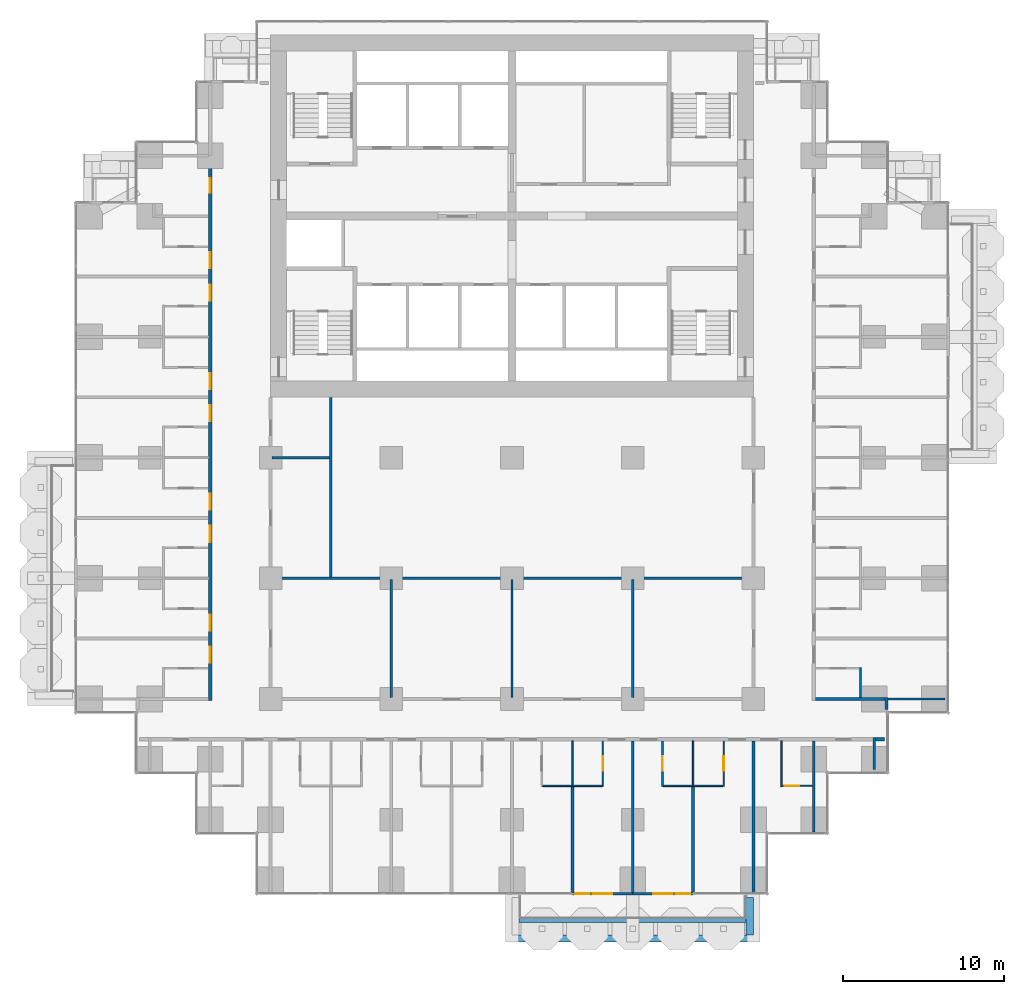
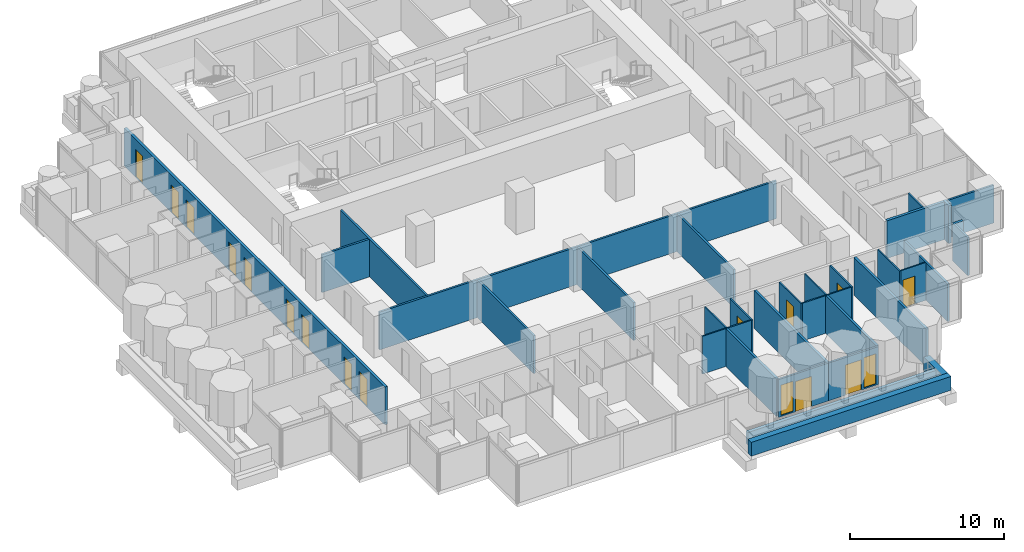
# One storey, part 12 of 19: 32 walls, 15 doors, 2 windows, 17 openings.
"""IFC4 building model written with IfcOpenShell, lengths in metres."""

import ifcopenshell
import ifcopenshell.guid

model = None  # the IFC model being written
_history = None  # IfcOwnerHistory: only IFC2X3 demands one
_inside = {}  # id of a spatial element -> (the spatial element, [elements in it])
_under = {}  # id of a project, library or spatial element -> (it, [spatial elements below it])
_declared = {}  # id of a project -> (the project, [libraries it declares])
_typed = {}  # id of a type object -> (the type object, [elements of that type])
_made_of = {}  # id of a material, layer set ... -> (it, [elements and type objects made of it])


def new_model(schema):
    """Start an empty IFC model of exactly this schema.

    Asked for "IFC4X3", IfcOpenShell would pick the latest addendum, in which some entities
    have other attributes; the version numbers below select the first issue.
    IFC2X3 requires an IfcOwnerHistory on every rooted entity: one is made here for all.
    """
    global model, _history
    if schema == "IFC4X3":
        model = ifcopenshell.file(schema_version=(4, 3, 0, 0))
    else:
        model = ifcopenshell.file(schema=schema)
    _inside.clear()
    _under.clear()
    _declared.clear()
    _typed.clear()
    _made_of.clear()
    _history = None
    if model.schema == "IFC2X3":
        org = make("IfcOrganization", Name="unknown")
        user = make(
            "IfcPersonAndOrganization",
            ThePerson=make("IfcPerson", FamilyName="unknown"),
            TheOrganization=org,
        )
        app = make(
            "IfcApplication",
            ApplicationDeveloper=org,
            Version="unknown",
            ApplicationFullName="unknown",
            ApplicationIdentifier="unknown",
        )
        _history = make(
            "IfcOwnerHistory",
            OwningUser=user,
            OwningApplication=app,
            ChangeAction="ADDED",
            CreationDate=0,
        )
    return model


def make(cls, **values):
    """One entity of the class cls with the attributes given. An attribute that is None is left unset."""
    return model.create_entity(
        cls, **{name: value for name, value in values.items() if value is not None}
    )


def rooted(cls, **values):
    """An entity with a GlobalId (a new one), such as an element, a storey or a relation."""
    return make(cls, GlobalId=ifcopenshell.guid.new(), OwnerHistory=_history, **values)


def si_unit(unit_type, name, prefix=None):
    """IfcSIUnit, for example si_unit("LENGTHUNIT", "METRE", prefix="MILLI")."""
    return make("IfcSIUnit", UnitType=unit_type, Prefix=prefix, Name=name)


def assignment(units):
    """IfcUnitAssignment: the units of a project."""
    return None if units is None else make("IfcUnitAssignment", Units=units)


def point(xyz):
    """IfcCartesianPoint."""
    return None if xyz is None else make("IfcCartesianPoint", Coordinates=xyz)


def direction(xyz):
    """IfcDirection."""
    return None if xyz is None else make("IfcDirection", DirectionRatios=xyz)


def frame(location, z_axis=None, x_axis=None):
    """IfcAxis2Placement3D, a coordinate frame: its origin and axes. An axis left out is left unset."""
    return make(
        "IfcAxis2Placement3D",
        Location=point(location),
        Axis=direction(z_axis),
        RefDirection=direction(x_axis),
    )


def frame_2d(location, x_axis=None):
    """IfcAxis2Placement2D, a coordinate frame in the plane: its origin and x axis."""
    return make(
        "IfcAxis2Placement2D", Location=point(location), RefDirection=direction(x_axis)
    )


def origin():
    """The frame at (0, 0, 0) with its axes left unset."""
    return frame((0.0, 0.0, 0.0))


def place(relative_to, where):
    """IfcLocalPlacement: puts the frame where relative to a parent placement (None: the world)."""
    return make(
        "IfcLocalPlacement", PlacementRelTo=relative_to, RelativePlacement=where
    )


def context(
    kind, dimensions, precision=None, world=None, true_north=None, identifier=None
):
    """IfcGeometricRepresentationContext, for example the 3D "Model" context."""
    return make(
        "IfcGeometricRepresentationContext",
        ContextIdentifier=identifier,
        ContextType=kind,
        CoordinateSpaceDimension=dimensions,
        Precision=precision,
        WorldCoordinateSystem=world,
        TrueNorth=true_north,
    )


def subcontext(parent, identifier, kind, view, scale=None):
    """IfcGeometricRepresentationSubContext, for example "Body" below "Model"."""
    return make(
        "IfcGeometricRepresentationSubContext",
        ContextIdentifier=identifier,
        ContextType=kind,
        ParentContext=parent,
        TargetScale=scale,
        TargetView=view,
    )


def project(units=None, contexts=None):
    """IfcProject with its units and contexts."""
    return rooted(
        "IfcProject",
        Name="project",
        RepresentationContexts=contexts,
        UnitsInContext=assignment(units),
    )


def spatial(cls, under=None, at=None, **own):
    """A site, building, storey or space (cls), placed at a placement, below another one or the project."""
    s = rooted(cls, ObjectPlacement=at, **own)
    if under is not None:
        _under.setdefault(under.id(), (under, []))[1].append(s)
    return s


def profile(cls, at=None, kind="AREA", **sizes):
    """A parametric profile (cls). Its sizes go by their IFC names, for example OverallWidth=200.0."""
    return make(cls, ProfileType=kind, Position=at, **sizes)


def rectangle(**sizes):
    """IfcRectangleProfileDef."""
    return profile("IfcRectangleProfileDef", **sizes)


def extrude(swept, where, along, depth):
    """IfcExtrudedAreaSolid: the profile swept, set in the frame where, extruded along a direction by depth."""
    return make(
        "IfcExtrudedAreaSolid",
        SweptArea=swept,
        Position=where,
        ExtrudedDirection=direction(along),
        Depth=depth,
    )


def shape(context_of_items, identifier, shape_type, items):
    """IfcShapeRepresentation: the items that make up one representation, for example the "Body"."""
    return make(
        "IfcShapeRepresentation",
        ContextOfItems=context_of_items,
        RepresentationIdentifier=identifier,
        RepresentationType=shape_type,
        Items=items,
    )


def material(Name=None, Category=None):
    """IfcMaterial."""
    return make("IfcMaterial", Name=Name, Category=Category)


def layer(
    of_material, thickness, ventilated=None, Name=None, Category=None, Priority=None
):
    """IfcMaterialLayer: one layer of a wall or slab, of a material (None: an air gap)."""
    return make(
        "IfcMaterialLayer",
        Material=of_material,
        LayerThickness=thickness,
        IsVentilated=ventilated,
        Name=Name,
        Category=Category,
        Priority=Priority,
    )


def layer_set(layers, Name=None):
    """IfcMaterialLayerSet."""
    return make("IfcMaterialLayerSet", MaterialLayers=layers, LayerSetName=Name)


def made_of(thing, what):
    """Note that an element or type object is made of a material, layer set ...; save() writes the relation."""
    if what is not None:
        _made_of.setdefault(what.id(), (what, []))[1].append(thing)
    return thing


def type_object(cls, material=None, **own):
    """A type object (cls), such as IfcWallType, which elements share."""
    return made_of(rooted(cls, **own), material)


def element(
    cls,
    number,
    at=None,
    inside=None,
    cuts=None,
    type_object=None,
    material=None,
    context=None,
    identifier="Body",
    shape_type=None,
    held_by="IfcProductDefinitionShape",
    body=None,
    shapes=None,
    **own,
):
    """One element of the class cls, such as IfcWall. Its Tag is "e" and its number.

    at: its placement. inside: the storey or other place that contains it. cuts: it is an
    opening in that element (IfcRelVoidsElement). A single representation is given by context,
    identifier, shape_type and body (its items); several are given by shapes. held_by: the class
    of the entity that holds the representations. save() writes the other relations.
    """
    e = rooted(cls, Tag="e%d" % number, ObjectPlacement=at, **own)
    if body is not None:
        shapes = [shape(context, identifier, shape_type, body)]
    if shapes is not None:
        e.Representation = make(held_by, Representations=shapes)
    if inside is not None:
        _inside.setdefault(inside.id(), (inside, []))[1].append(e)
    if cuts is not None:
        rooted(
            "IfcRelVoidsElement", RelatingBuildingElement=cuts, RelatedOpeningElement=e
        )
    if type_object is not None:
        _typed.setdefault(type_object.id(), (type_object, []))[1].append(e)
    return made_of(e, material)


def fill(opening, filler):
    """IfcRelFillsElement: the door or window that sits in an opening."""
    return rooted(
        "IfcRelFillsElement",
        RelatingOpeningElement=opening,
        RelatedBuildingElement=filler,
    )


def aggregate(whole, parts):
    """IfcRelAggregates: a whole, such as a stair, and the parts it consists of."""
    return rooted("IfcRelAggregates", RelatingObject=whole, RelatedObjects=parts)


def save(model, path):
    """Write the relations noted so far, then the file.

    IfcRelAggregates (storeys below a building ...), IfcRelContainedInSpatialStructure (elements
    in a storey), IfcRelDefinesByType, IfcRelAssociatesMaterial and IfcRelDeclares: one each for
    every whole, place, type object, material and project.
    """
    for whole, parts in _under.values():
        aggregate(whole, parts)
    for where, things in _inside.values():
        rooted(
            "IfcRelContainedInSpatialStructure",
            RelatedElements=things,
            RelatingStructure=where,
        )
    for kind, things in _typed.values():
        rooted("IfcRelDefinesByType", RelatedObjects=things, RelatingType=kind)
    for what, things in _made_of.values():
        rooted("IfcRelAssociatesMaterial", RelatedObjects=things, RelatingMaterial=what)
    for by, libraries in _declared.values():
        rooted("IfcRelDeclares", RelatingContext=by, RelatedDefinitions=libraries)
    model.write(path)


model = new_model("IFC4")

# Units and contexts
model_context = context("Model", 3, precision=1e-05, world=origin(), true_north=direction((0.0, 1.0)))
body_context = subcontext(model_context, "Body", "Model", "MODEL_VIEW")
ifc_project = project(units=[si_unit("LENGTHUNIT", "METRE"), si_unit("AREAUNIT", "SQUARE_METRE"), si_unit("VOLUMEUNIT", "CUBIC_METRE"), si_unit("PLANEANGLEUNIT", "RADIAN"), si_unit("MASSUNIT", "GRAM", prefix="KILO")], contexts=[model_context])

# Site, building, storey
site_placement = place(None, origin())
site = spatial("IfcSite", under=ifc_project, at=site_placement, CompositionType="ELEMENT")
building_placement = place(site_placement, origin())
building = spatial("IfcBuilding", under=site, at=building_placement, Name="Pilkhan Gate Tower", CompositionType="ELEMENT")
storey_placement = place(building_placement, frame((0.0, 0.0, 39.5)))
storey = spatial("IfcBuildingStorey", under=building, at=storey_placement, Name="L06", CompositionType="ELEMENT", Elevation=39.5)

# Walls
ifc_material_1 = material(Name="Dense blockwork", Category="masonry")
ifc_layer_1 = layer(ifc_material_1, 0.175048828125)
ifc_layer_set_1 = layer_set([ifc_layer_1], Name="Acoustic party wall PW175")
wall_type_1 = type_object("IfcWallType", Name="Acoustic party wall PW175", PredefinedType="PARTITIONING", material=ifc_layer_set_1)
wall_1_placement = place(storey_placement, frame((78.75, 40.485107421875, 0.0), z_axis=(0.0, 0.0, 1.0), x_axis=(0.0, 1.0, 0.0)))
element("IfcWall", 1, at=wall_1_placement, inside=storey, type_object=wall_type_1, Name="Partition L06", PredefinedType="PARTITIONING", context=body_context, shape_type="SweptSolid", body=[
    extrude(rectangle(XDim=6.56494140625, YDim=0.175048828125, at=frame_2d((3.282470703125, 0.0))), origin(), (0.0, 0.0, 1.0), 3.0),
])
wall_2_placement = place(storey_placement, frame((82.5, 40.485107421875, 0.0), z_axis=(0.0, 0.0, 1.0), x_axis=(0.0, 1.0, 0.0)))
element("IfcWall", 2, at=wall_2_placement, inside=storey, type_object=wall_type_1, Name="Partition L06", PredefinedType="PARTITIONING", context=body_context, shape_type="SweptSolid", body=[
    extrude(rectangle(XDim=9.414794921875, YDim=0.175048828125, at=frame_2d((4.70751953125, 0.0))), origin(), (0.0, 0.0, 1.0), 3.0),
])
wall_3_placement = place(storey_placement, frame((86.25, 40.485107421875, 0.0), z_axis=(0.0, 0.0, 1.0), x_axis=(0.0, 1.0, 0.0)))
element("IfcWall", 3, at=wall_3_placement, inside=storey, type_object=wall_type_1, Name="Partition L06", PredefinedType="PARTITIONING", context=body_context, shape_type="SweptSolid", body=[
    extrude(rectangle(XDim=6.56494140625, YDim=0.175048828125, at=frame_2d((3.282470703125, 0.0))), origin(), (0.0, 0.0, 1.0), 3.0),
])
wall_4_placement = place(storey_placement, frame((90.0, 40.485107421875, 0.0), z_axis=(0.0, 0.0, 1.0), x_axis=(0.0, 1.0, 0.0)))
element("IfcWall", 4, at=wall_4_placement, inside=storey, type_object=wall_type_1, Name="Partition L06", PredefinedType="PARTITIONING", context=body_context, shape_type="SweptSolid", body=[
    extrude(rectangle(XDim=9.414794921875, YDim=0.175048828125, at=frame_2d((4.70751953125, 0.0))), origin(), (0.0, 0.0, 1.0), 3.0),
])
ifc_material_2 = material(Name="Concrete C40/50", Category="concrete")
ifc_layer_2 = layer(ifc_material_2, 0.25)
ifc_layer_set_2 = layer_set([ifc_layer_2], Name="Balcony planter BP250")
wall_type_2 = type_object("IfcWallType", Name="Balcony planter BP250", PredefinedType="USERDEFINED", material=ifc_layer_set_2)
wall_5_placement = place(storey_placement, frame((75.449951171875, 38.72509765625, 0.0), z_axis=(0.0, 0.0, 1.0), x_axis=(1.0, 0.0, 0.0)))
element("IfcWall", 5, at=wall_5_placement, inside=storey, type_object=wall_type_2, Name="Balcony planter L06 S", ObjectType="BALCONY PLANTER", PredefinedType="USERDEFINED", context=body_context, shape_type="SweptSolid", body=[
    extrude(rectangle(XDim=14.10009765625, YDim=0.25, at=frame_2d((7.050048828125, 0.0))), origin(), (0.0, 0.0, 1.0), 1.0),
])
ifc_material_3 = material(Name="Board-marked Concrete C40/50", Category="concrete")
ifc_layer_3 = layer(ifc_material_3, 0.449951171875)
ifc_layer_set_3 = layer_set([ifc_layer_3], Name="Balcony planter lip BL450")
wall_type_3 = type_object("IfcWallType", Name="Balcony planter lip BL450", PredefinedType="USERDEFINED", material=ifc_layer_set_3)
wall_6_placement = place(storey_placement, frame((75.0, 37.625, 0.0), z_axis=(0.0, 0.0, 1.0), x_axis=(1.0, 0.0, 0.0)))
element("IfcWall", 6, at=wall_6_placement, inside=storey, type_object=wall_type_3, Name="Balcony planter L06 S", ObjectType="BALCONY PLANTER", PredefinedType="USERDEFINED", context=body_context, shape_type="SweptSolid", body=[
    extrude(rectangle(XDim=15.0, YDim=0.449951171875, at=frame_2d((7.5, 0.0))), origin(), (0.0, 0.0, 1.0), 1.10009765625),
])
wall_7_placement = place(storey_placement, frame((89.77490234375, 40.179931640625, 0.0), z_axis=(0.0, 0.0, 1.0), x_axis=(0.0, -1.0, 0.0)))
element("IfcWall", 7, at=wall_7_placement, inside=storey, type_object=wall_type_3, Name="Balcony planter L06 S", ObjectType="BALCONY PLANTER", PredefinedType="USERDEFINED", context=body_context, shape_type="SweptSolid", body=[
    extrude(rectangle(XDim=2.329833984375, YDim=0.449951171875, at=frame_2d((1.1650390625, 0.0))), origin(), (0.0, 0.0, 1.0), 1.10009765625),
])
ifc_layer_4 = layer(ifc_material_1, 0.199951171875)
ifc_layer_set_4 = layer_set([ifc_layer_4], Name="Corridor wall FW200")
wall_type_4 = type_object("IfcWallType", Name="Corridor wall FW200", PredefinedType="PARTITIONING", material=ifc_layer_set_4)
wall_8_placement = place(storey_placement, frame((97.574951171875, 50.0, 0.0), z_axis=(0.0, 0.0, 1.0), x_axis=(1.0, 0.0, 0.0)))
element("IfcWall", 8, at=wall_8_placement, inside=storey, type_object=wall_type_4, Name="Partition L06", PredefinedType="PARTITIONING", context=body_context, shape_type="SweptSolid", body=[
    extrude(rectangle(XDim=0.570068359375, YDim=0.199951171875, at=frame_2d((0.28515625, 0.0))), origin(), (0.0, 0.0, 1.0), 3.0),
])
wall_9_placement = place(storey_placement, frame((93.85009765625, 52.5, 0.0), z_axis=(0.0, 0.0, 1.0), x_axis=(1.0, 0.0, 0.0)))
element("IfcWall", 9, at=wall_9_placement, inside=storey, type_object=wall_type_4, Name="Partition L06", PredefinedType="PARTITIONING", context=body_context, shape_type="SweptSolid", body=[
    extrude(rectangle(XDim=4.31494140625, YDim=0.199951171875, at=frame_2d((2.157470703125, 0.0))), origin(), (0.0, 0.0, 1.0), 3.0),
])

# Wall, openings, doors
wall_10_placement = place(storey_placement, frame((56.25, 52.39990234375, 0.0), z_axis=(0.0, 0.0, 1.0), x_axis=(0.0, 1.0, 0.0)))
wall_10 = element("IfcWall", 10, at=wall_10_placement, inside=storey, type_object=wall_type_4, Name="Partition L06", PredefinedType="PARTITIONING", context=body_context, shape_type="SweptSolid", body=[
    extrude(rectangle(XDim=33.925048828125, YDim=0.199951171875, at=frame_2d((16.96240234375, 0.0))), origin(), (0.0, 0.0, 1.0), 3.0),
])
opening_1_placement = place(wall_10_placement, frame((2.35009765625, 0.0, 0.0)))
opening_1 = element("IfcOpeningElement", 11, at=opening_1_placement, cuts=wall_10, Name="Opening L06-26", PredefinedType="OPENING", context=body_context, shape_type="SweptSolid", body=[
    extrude(rectangle(XDim=1.0, YDim=2.199951171875, at=frame_2d((0.5, 1.10009765625))), frame((0.0, 0.10986328125, 0.0), z_axis=(0.0, -1.0, 0.0), x_axis=(1.0, 0.0, 0.0)), (0.0, 0.0, 1.0), 0.219970703125),
])
opening_2_placement = place(wall_10_placement, frame((4.35009765625, 0.0, 0.0)))
opening_2 = element("IfcOpeningElement", 12, at=opening_2_placement, cuts=wall_10, Name="Opening L06-28", PredefinedType="OPENING", context=body_context, shape_type="SweptSolid", body=[
    extrude(rectangle(XDim=1.0, YDim=2.199951171875, at=frame_2d((0.5, 1.10009765625))), frame((0.0, 0.10986328125, 0.0), z_axis=(0.0, -1.0, 0.0), x_axis=(1.0, 0.0, 0.0)), (0.0, 0.0, 1.0), 0.219970703125),
])
opening_3_placement = place(wall_10_placement, frame((9.85009765625, 0.0, 0.0)))
opening_3 = element("IfcOpeningElement", 13, at=opening_3_placement, cuts=wall_10, Name="Opening L06-30", PredefinedType="OPENING", context=body_context, shape_type="SweptSolid", body=[
    extrude(rectangle(XDim=1.0, YDim=2.199951171875, at=frame_2d((0.5, 1.10009765625))), frame((0.0, 0.10986328125, 0.0), z_axis=(0.0, -1.0, 0.0), x_axis=(1.0, 0.0, 0.0)), (0.0, 0.0, 1.0), 0.219970703125),
])
opening_4_placement = place(wall_10_placement, frame((11.85009765625, 0.0, 0.0)))
opening_4 = element("IfcOpeningElement", 14, at=opening_4_placement, cuts=wall_10, Name="Opening L06-32", PredefinedType="OPENING", context=body_context, shape_type="SweptSolid", body=[
    extrude(rectangle(XDim=1.0, YDim=2.199951171875, at=frame_2d((0.5, 1.10009765625))), frame((0.0, 0.10986328125, 0.0), z_axis=(0.0, -1.0, 0.0), x_axis=(1.0, 0.0, 0.0)), (0.0, 0.0, 1.0), 0.219970703125),
])
opening_5_placement = place(wall_10_placement, frame((17.35009765625, 0.0, 0.0)))
opening_5 = element("IfcOpeningElement", 15, at=opening_5_placement, cuts=wall_10, Name="Opening L06-34", PredefinedType="OPENING", context=body_context, shape_type="SweptSolid", body=[
    extrude(rectangle(XDim=1.0, YDim=2.199951171875, at=frame_2d((0.5, 1.10009765625))), frame((0.0, 0.10986328125, 0.0), z_axis=(0.0, -1.0, 0.0), x_axis=(1.0, 0.0, 0.0)), (0.0, 0.0, 1.0), 0.219970703125),
])
opening_6_placement = place(wall_10_placement, frame((19.35009765625, 0.0, 0.0)))
opening_6 = element("IfcOpeningElement", 16, at=opening_6_placement, cuts=wall_10, Name="Opening L06-36", PredefinedType="OPENING", context=body_context, shape_type="SweptSolid", body=[
    extrude(rectangle(XDim=1.0, YDim=2.199951171875, at=frame_2d((0.5, 1.10009765625))), frame((0.0, 0.10986328125, 0.0), z_axis=(0.0, -1.0, 0.0), x_axis=(1.0, 0.0, 0.0)), (0.0, 0.0, 1.0), 0.219970703125),
])
opening_7_placement = place(wall_10_placement, frame((24.85009765625, 0.0, 0.0)))
opening_7 = element("IfcOpeningElement", 17, at=opening_7_placement, cuts=wall_10, Name="Opening L06-38", PredefinedType="OPENING", context=body_context, shape_type="SweptSolid", body=[
    extrude(rectangle(XDim=1.0, YDim=2.199951171875, at=frame_2d((0.5, 1.10009765625))), frame((0.0, 0.10986328125, 0.0), z_axis=(0.0, -1.0, 0.0), x_axis=(1.0, 0.0, 0.0)), (0.0, 0.0, 1.0), 0.219970703125),
])
opening_8_placement = place(wall_10_placement, frame((26.85009765625, 0.0, 0.0)))
opening_8 = element("IfcOpeningElement", 18, at=opening_8_placement, cuts=wall_10, Name="Opening L06-40", PredefinedType="OPENING", context=body_context, shape_type="SweptSolid", body=[
    extrude(rectangle(XDim=1.0, YDim=2.199951171875, at=frame_2d((0.5, 1.10009765625))), frame((0.0, 0.10986328125, 0.0), z_axis=(0.0, -1.0, 0.0), x_axis=(1.0, 0.0, 0.0)), (0.0, 0.0, 1.0), 0.219970703125),
])
opening_9_placement = place(wall_10_placement, frame((31.550048828125, 0.0, 0.0)))
opening_9 = element("IfcOpeningElement", 19, at=opening_9_placement, cuts=wall_10, Name="Opening L06-65", PredefinedType="OPENING", context=body_context, shape_type="SweptSolid", body=[
    extrude(rectangle(XDim=0.89990234375, YDim=2.199951171875, at=frame_2d((0.449951171875, 1.10009765625))), frame((0.0, 0.10986328125, 0.0), z_axis=(0.0, -1.0, 0.0), x_axis=(1.0, 0.0, 0.0)), (0.0, 0.0, 1.0), 0.219970703125),
])
ifc_material_4 = material(Name="Timber flush door, 30 minute fire resisting", Category="wood")
door_type_1 = type_object("IfcDoorType", Name="Guest room door D01 1000x2200", OperationType="SINGLE_SWING_LEFT", PredefinedType="DOOR", material=ifc_material_4)
door_1_placement = place(opening_1_placement, origin())
door_1 = element("IfcDoor", 20, at=door_1_placement, inside=storey, type_object=door_type_1, Name="Guest room door", OperationType="SINGLE_SWING_RIGHT", OverallHeight=2.199951171875, OverallWidth=1.0, PredefinedType="DOOR", context=body_context, shape_type="SweptSolid", body=[
    extrude(rectangle(XDim=1.0, YDim=2.199951171875, at=frame_2d((0.5, 1.10009765625))), frame((0.0, 0.02490234375, 0.0), z_axis=(0.0, -1.0, 0.0), x_axis=(1.0, 0.0, 0.0)), (0.0, 0.0, 1.0), 0.050048828125),
])
fill(opening_1, door_1)
door_2_placement = place(opening_2_placement, origin())
door_2 = element("IfcDoor", 21, at=door_2_placement, inside=storey, type_object=door_type_1, Name="Guest room door", OperationType="SINGLE_SWING_RIGHT", OverallHeight=2.199951171875, OverallWidth=1.0, PredefinedType="DOOR", context=body_context, shape_type="SweptSolid", body=[
    extrude(rectangle(XDim=1.0, YDim=2.199951171875, at=frame_2d((0.5, 1.10009765625))), frame((0.0, 0.02490234375, 0.0), z_axis=(0.0, -1.0, 0.0), x_axis=(1.0, 0.0, 0.0)), (0.0, 0.0, 1.0), 0.050048828125),
])
fill(opening_2, door_2)
door_3_placement = place(opening_3_placement, origin())
door_3 = element("IfcDoor", 22, at=door_3_placement, inside=storey, type_object=door_type_1, Name="Guest room door", OperationType="SINGLE_SWING_LEFT", OverallHeight=2.199951171875, OverallWidth=1.0, PredefinedType="DOOR", context=body_context, shape_type="SweptSolid", body=[
    extrude(rectangle(XDim=1.0, YDim=2.199951171875, at=frame_2d((0.5, 1.10009765625))), frame((0.0, 0.02490234375, 0.0), z_axis=(0.0, -1.0, 0.0), x_axis=(1.0, 0.0, 0.0)), (0.0, 0.0, 1.0), 0.050048828125),
])
fill(opening_3, door_3)
door_4_placement = place(opening_4_placement, origin())
door_4 = element("IfcDoor", 23, at=door_4_placement, inside=storey, type_object=door_type_1, Name="Guest room door", OperationType="SINGLE_SWING_LEFT", OverallHeight=2.199951171875, OverallWidth=1.0, PredefinedType="DOOR", context=body_context, shape_type="SweptSolid", body=[
    extrude(rectangle(XDim=1.0, YDim=2.199951171875, at=frame_2d((0.5, 1.10009765625))), frame((0.0, 0.02490234375, 0.0), z_axis=(0.0, -1.0, 0.0), x_axis=(1.0, 0.0, 0.0)), (0.0, 0.0, 1.0), 0.050048828125),
])
fill(opening_4, door_4)
door_5_placement = place(opening_5_placement, origin())
door_5 = element("IfcDoor", 24, at=door_5_placement, inside=storey, type_object=door_type_1, Name="Guest room door", OperationType="SINGLE_SWING_LEFT", OverallHeight=2.199951171875, OverallWidth=1.0, PredefinedType="DOOR", context=body_context, shape_type="SweptSolid", body=[
    extrude(rectangle(XDim=1.0, YDim=2.199951171875, at=frame_2d((0.5, 1.10009765625))), frame((0.0, 0.02490234375, 0.0), z_axis=(0.0, -1.0, 0.0), x_axis=(1.0, 0.0, 0.0)), (0.0, 0.0, 1.0), 0.050048828125),
])
fill(opening_5, door_5)
door_6_placement = place(opening_6_placement, origin())
door_6 = element("IfcDoor", 25, at=door_6_placement, inside=storey, type_object=door_type_1, Name="Guest room door", OperationType="SINGLE_SWING_LEFT", OverallHeight=2.199951171875, OverallWidth=1.0, PredefinedType="DOOR", context=body_context, shape_type="SweptSolid", body=[
    extrude(rectangle(XDim=1.0, YDim=2.199951171875, at=frame_2d((0.5, 1.10009765625))), frame((0.0, 0.02490234375, 0.0), z_axis=(0.0, -1.0, 0.0), x_axis=(1.0, 0.0, 0.0)), (0.0, 0.0, 1.0), 0.050048828125),
])
fill(opening_6, door_6)
door_7_placement = place(opening_7_placement, origin())
door_7 = element("IfcDoor", 26, at=door_7_placement, inside=storey, type_object=door_type_1, Name="Guest room door", OperationType="SINGLE_SWING_LEFT", OverallHeight=2.199951171875, OverallWidth=1.0, PredefinedType="DOOR", context=body_context, shape_type="SweptSolid", body=[
    extrude(rectangle(XDim=1.0, YDim=2.199951171875, at=frame_2d((0.5, 1.10009765625))), frame((0.0, 0.02490234375, 0.0), z_axis=(0.0, -1.0, 0.0), x_axis=(1.0, 0.0, 0.0)), (0.0, 0.0, 1.0), 0.050048828125),
])
fill(opening_7, door_7)
door_8_placement = place(opening_8_placement, origin())
door_8 = element("IfcDoor", 27, at=door_8_placement, inside=storey, type_object=door_type_1, Name="Guest room door", OperationType="SINGLE_SWING_LEFT", OverallHeight=2.199951171875, OverallWidth=1.0, PredefinedType="DOOR", context=body_context, shape_type="SweptSolid", body=[
    extrude(rectangle(XDim=1.0, YDim=2.199951171875, at=frame_2d((0.5, 1.10009765625))), frame((0.0, 0.02490234375, 0.0), z_axis=(0.0, -1.0, 0.0), x_axis=(1.0, 0.0, 0.0)), (0.0, 0.0, 1.0), 0.050048828125),
])
fill(opening_8, door_8)
ifc_material_5 = material(Name="Timber flush door, 60 minute fire resisting, self-closing", Category="wood")
door_type_2 = type_object("IfcDoorType", Name="Store door D05 900x2200", OperationType="SINGLE_SWING_LEFT", PredefinedType="DOOR", material=ifc_material_5)
door_9_placement = place(opening_9_placement, origin())
door_9 = element("IfcDoor", 28, at=door_9_placement, inside=storey, type_object=door_type_2, Name="Store door", OperationType="SINGLE_SWING_RIGHT", OverallHeight=2.199951171875, OverallWidth=0.89990234375, PredefinedType="DOOR", context=body_context, shape_type="SweptSolid", body=[
    extrude(rectangle(XDim=0.89990234375, YDim=2.199951171875, at=frame_2d((0.449951171875, 1.10009765625))), frame((0.0, 0.02490234375, 0.0), z_axis=(0.0, -1.0, 0.0), x_axis=(1.0, 0.0, 0.0)), (0.0, 0.0, 1.0), 0.050048828125),
])
fill(opening_9, door_9)

# Wall
wall_11_placement = place(storey_placement, frame((98.264892578125, 51.85498046875, 0.0), z_axis=(0.0, 0.0, 1.0), x_axis=(0.0, 1.0, 0.0)))
element("IfcWall", 29, at=wall_11_placement, inside=storey, type_object=wall_type_4, Name="Partition L06", PredefinedType="PARTITIONING", context=body_context, shape_type="SweptSolid", body=[
    extrude(rectangle(XDim=0.7451171875, YDim=0.199951171875, at=frame_2d((0.37255859375, 0.0))), origin(), (0.0, 0.0, 1.0), 3.0),
])

# Wall, openings, door, window
ifc_material_6 = material(Name="Pale anodised aluminium, clear laminated glazing", Category="aluminium")
ifc_layer_5 = layer(ifc_material_6, 0.14990234375)
ifc_layer_set_5 = layer_set([ifc_layer_5], Name="Facade infill wall IW150")
wall_type_5 = type_object("IfcWallType", Name="Facade infill wall IW150", PredefinedType="SOLIDWALL", material=ifc_layer_set_5)
wall_12_placement = place(storey_placement, frame((78.75, 40.405029296875, 0.0), z_axis=(0.0, 0.0, 1.0), x_axis=(1.0, 0.0, 0.0)))
wall_12 = element("IfcWall", 30, at=wall_12_placement, inside=storey, type_object=wall_type_5, Name="Infill wall L06 S", PredefinedType="SOLIDWALL", context=body_context, shape_type="SweptSolid", body=[
    extrude(rectangle(XDim=3.75, YDim=0.14990234375, at=frame_2d((1.875, 0.0))), origin(), (0.0, 0.0, 1.0), 3.0),
])
opening_10_placement = place(wall_12_placement, frame((0.1875, 0.0, 0.10009765625)))
opening_10 = element("IfcOpeningElement", 31, at=opening_10_placement, cuts=wall_12, Name="Opening W1", PredefinedType="OPENING", context=body_context, shape_type="SweptSolid", body=[
    extrude(rectangle(XDim=0.89990234375, YDim=2.39990234375, at=frame_2d((0.449951171875, 1.199951171875))), frame((0.0, 0.0849609375, 0.0), z_axis=(0.0, -1.0, 0.0), x_axis=(1.0, 0.0, 0.0)), (0.0, 0.0, 1.0), 0.169921875),
])
opening_11_placement = place(wall_12_placement, frame((1.27490234375, 0.0, 0.0)))
opening_11 = element("IfcOpeningElement", 32, at=opening_11_placement, cuts=wall_12, Name="Opening D1", PredefinedType="OPENING", context=body_context, shape_type="SweptSolid", body=[
    extrude(rectangle(XDim=1.199951171875, YDim=2.39990234375, at=frame_2d((0.60009765625, 1.199951171875))), frame((0.0, 0.0849609375, 0.0), z_axis=(0.0, -1.0, 0.0), x_axis=(1.0, 0.0, 0.0)), (0.0, 0.0, 1.0), 0.169921875),
])
ifc_material_7 = material(Name="Pale anodised aluminium, clear glazing", Category="aluminium")
door_type_3 = type_object("IfcDoorType", Name="Balcony door D1 1200x2400", OperationType="SINGLE_SWING_LEFT", PredefinedType="DOOR", material=ifc_material_7)
door_10_placement = place(opening_11_placement, origin())
door_10 = element("IfcDoor", 33, at=door_10_placement, inside=storey, type_object=door_type_3, Name="Balcony door L06", OperationType="SINGLE_SWING_LEFT", OverallHeight=2.39990234375, OverallWidth=1.199951171875, PredefinedType="DOOR", context=body_context, shape_type="SweptSolid", body=[
    extrude(rectangle(XDim=1.199951171875, YDim=2.39990234375, at=frame_2d((0.60009765625, 1.199951171875))), frame((0.0, 0.02490234375, 0.0), z_axis=(0.0, -1.0, 0.0), x_axis=(1.0, 0.0, 0.0)), (0.0, 0.0, 1.0), 0.050048828125),
])
fill(opening_11, door_10)
ifc_material_8 = material(Name="Pale anodised aluminium, clear double glazing", Category="aluminium")
window_type = type_object("IfcWindowType", Name="Window W1 900x2400", PartitioningType="SINGLE_PANEL", PredefinedType="WINDOW", material=ifc_material_8)
window_1_placement = place(opening_10_placement, origin())
window_1 = element("IfcWindow", 34, at=window_1_placement, inside=storey, type_object=window_type, Name="Window L06", OverallHeight=2.39990234375, OverallWidth=0.89990234375, PartitioningType="SINGLE_PANEL", PredefinedType="WINDOW", context=body_context, shape_type="SweptSolid", body=[
    extrude(rectangle(XDim=0.89990234375, YDim=2.39990234375, at=frame_2d((0.449951171875, 1.199951171875))), frame((0.0, 0.030029296875, 0.0), z_axis=(0.0, -1.0, 0.0), x_axis=(1.0, 0.0, 0.0)), (0.0, 0.0, 1.0), 0.06005859375),
])
fill(opening_10, window_1)

wall_13_placement = place(storey_placement, frame((82.5, 40.405029296875, 0.0), z_axis=(0.0, 0.0, 1.0), x_axis=(1.0, 0.0, 0.0)))
wall_13 = element("IfcWall", 35, at=wall_13_placement, inside=storey, type_object=wall_type_5, Name="Infill wall L06 S", PredefinedType="SOLIDWALL", context=body_context, shape_type="SweptSolid", body=[
    extrude(rectangle(XDim=3.75, YDim=0.14990234375, at=frame_2d((1.875, 0.0))), origin(), (0.0, 0.0, 1.0), 3.0),
])
opening_12_placement = place(wall_13_placement, frame((1.27490234375, 0.0, 0.0)))
opening_12 = element("IfcOpeningElement", 36, at=opening_12_placement, cuts=wall_13, Name="Opening D1", PredefinedType="OPENING", context=body_context, shape_type="SweptSolid", body=[
    extrude(rectangle(XDim=1.199951171875, YDim=2.39990234375, at=frame_2d((0.60009765625, 1.199951171875))), frame((0.0, 0.0849609375, 0.0), z_axis=(0.0, -1.0, 0.0), x_axis=(1.0, 0.0, 0.0)), (0.0, 0.0, 1.0), 0.169921875),
])
opening_13_placement = place(wall_13_placement, frame((2.66259765625, 0.0, 0.10009765625)))
opening_13 = element("IfcOpeningElement", 37, at=opening_13_placement, cuts=wall_13, Name="Opening W1", PredefinedType="OPENING", context=body_context, shape_type="SweptSolid", body=[
    extrude(rectangle(XDim=0.89990234375, YDim=2.39990234375, at=frame_2d((0.449951171875, 1.199951171875))), frame((0.0, 0.0849609375, 0.0), z_axis=(0.0, -1.0, 0.0), x_axis=(1.0, 0.0, 0.0)), (0.0, 0.0, 1.0), 0.169921875),
])
door_11_placement = place(opening_12_placement, origin())
door_11 = element("IfcDoor", 38, at=door_11_placement, inside=storey, type_object=door_type_3, Name="Balcony door L06", OperationType="SINGLE_SWING_LEFT", OverallHeight=2.39990234375, OverallWidth=1.199951171875, PredefinedType="DOOR", context=body_context, shape_type="SweptSolid", body=[
    extrude(rectangle(XDim=1.199951171875, YDim=2.39990234375, at=frame_2d((0.60009765625, 1.199951171875))), frame((0.0, 0.02490234375, 0.0), z_axis=(0.0, -1.0, 0.0), x_axis=(1.0, 0.0, 0.0)), (0.0, 0.0, 1.0), 0.050048828125),
])
fill(opening_12, door_11)
window_2_placement = place(opening_13_placement, origin())
window_2 = element("IfcWindow", 39, at=window_2_placement, inside=storey, type_object=window_type, Name="Window L06", OverallHeight=2.39990234375, OverallWidth=0.89990234375, PartitioningType="SINGLE_PANEL", PredefinedType="WINDOW", context=body_context, shape_type="SweptSolid", body=[
    extrude(rectangle(XDim=0.89990234375, YDim=2.39990234375, at=frame_2d((0.449951171875, 1.199951171875))), frame((0.0, 0.030029296875, 0.0), z_axis=(0.0, -1.0, 0.0), x_axis=(1.0, 0.0, 0.0)), (0.0, 0.0, 1.0), 0.06005859375),
])
fill(opening_13, window_2)

# Walls
ifc_material_9 = material(Name="Blockwork partition, plastered both sides", Category="masonry")
ifc_layer_6 = layer(ifc_material_9, 0.14990234375)
ifc_layer_set_6 = layer_set([ifc_layer_6], Name="Partition PW150")
wall_type_6 = type_object("IfcWallType", Name="Partition PW150", PredefinedType="PARTITIONING", material=ifc_layer_set_6)
wall_14_placement = place(storey_placement, frame((98.364990234375, 52.5, 0.0), z_axis=(0.0, 0.0, 1.0), x_axis=(1.0, 0.0, 0.0)))
element("IfcWall", 40, at=wall_14_placement, inside=storey, type_object=wall_type_6, Name="Partition L06", PredefinedType="PARTITIONING", context=body_context, shape_type="SweptSolid", body=[
    extrude(rectangle(XDim=3.530029296875, YDim=0.14990234375, at=frame_2d((1.76513671875, 0.0))), origin(), (0.0, 0.0, 1.0), 3.0),
])
wall_15_placement = place(storey_placement, frame((60.10009765625, 60.0, 0.0), z_axis=(0.0, 0.0, 1.0), x_axis=(1.0, 0.0, 0.0)))
element("IfcWall", 41, at=wall_15_placement, inside=storey, type_object=wall_type_6, Name="Partition L06", PredefinedType="PARTITIONING", context=body_context, shape_type="SweptSolid", body=[
    extrude(rectangle(XDim=29.7998046875, YDim=0.14990234375, at=frame_2d((14.89990234375, 0.0))), origin(), (0.0, 0.0, 1.0), 3.0),
])
wall_16_placement = place(storey_placement, frame((60.10009765625, 67.5, 0.0), z_axis=(0.0, 0.0, 1.0), x_axis=(1.0, 0.0, 0.0)))
element("IfcWall", 42, at=wall_16_placement, inside=storey, type_object=wall_type_6, Name="Partition L06", PredefinedType="PARTITIONING", context=body_context, shape_type="SweptSolid", body=[
    extrude(rectangle(XDim=3.574951171875, YDim=0.14990234375, at=frame_2d((1.78759765625, 0.0))), origin(), (0.0, 0.0, 1.0), 3.0),
])
wall_17_placement = place(storey_placement, frame((63.75, 60.074951171875, 0.0), z_axis=(0.0, 0.0, 1.0), x_axis=(0.0, 1.0, 0.0)))
element("IfcWall", 43, at=wall_17_placement, inside=storey, type_object=wall_type_6, Name="Partition L06", PredefinedType="PARTITIONING", context=body_context, shape_type="SweptSolid", body=[
    extrude(rectangle(XDim=11.1650390625, YDim=0.14990234375, at=frame_2d((5.58251953125, 0.0))), origin(), (0.0, 0.0, 1.0), 3.0),
])
for number, where, z_axis, x_axis, name in (
    (44, (67.5, 52.60009765625, 0.0), (0.0, 0.0, 1.0), (0.0, 1.0, 0.0), "Partition L06"),
    (45, (75.0, 52.60009765625, 0.0), (0.0, 0.0, 1.0), (0.0, 1.0, 0.0), "Partition L06"),
    (46, (82.5, 52.60009765625, 0.0), (0.0, 0.0, 1.0), (0.0, 1.0, 0.0), "Partition L06"),
):
    element("IfcWall", number, at=place(storey_placement, frame(where, z_axis=z_axis, x_axis=x_axis)), inside=storey, type_object=wall_type_6, Name=name, PredefinedType="PARTITIONING", context=body_context, shape_type="SweptSolid", body=[
        extrude(rectangle(XDim=7.324951171875, YDim=0.14990234375, at=frame_2d((3.66259765625, 0.0))), origin(), (0.0, 0.0, 1.0), 3.0),
    ])
wall_18_placement = place(storey_placement, frame((93.75, 44.235107421875, 0.0), z_axis=(0.0, 0.0, 1.0), x_axis=(0.0, 1.0, 0.0)))
element("IfcWall", 47, at=wall_18_placement, inside=storey, type_object=wall_type_6, Name="Partition L06", PredefinedType="PARTITIONING", context=body_context, shape_type="SweptSolid", body=[
    extrude(rectangle(XDim=5.664794921875, YDim=0.14990234375, at=frame_2d((2.83251953125, 0.0))), origin(), (0.0, 0.0, 1.0), 3.0),
])
wall_19_placement = place(storey_placement, frame((97.5, 48.10498046875, 0.0), z_axis=(0.0, 0.0, 1.0), x_axis=(0.0, 1.0, 0.0)))
element("IfcWall", 48, at=wall_19_placement, inside=storey, type_object=wall_type_6, Name="Partition L06", PredefinedType="PARTITIONING", context=body_context, shape_type="SweptSolid", body=[
    extrude(rectangle(XDim=1.9951171875, YDim=0.14990234375, at=frame_2d((0.99755859375, 0.0))), origin(), (0.0, 0.0, 1.0), 3.0),
])
ifc_material_10 = material(Name="Moisture resistant board, tiled")
ifc_layer_7 = layer(ifc_material_10, 0.10009765625)
ifc_layer_set_7 = layer_set([ifc_layer_7], Name="Wet wall PW100")
wall_type_7 = type_object("IfcWallType", Name="Wet wall PW100", PredefinedType="PARTITIONING", material=ifc_layer_set_7)
for number, where, z_axis, x_axis, name in (
    (49, (76.89990234375, 47.10009765625, 0.0), (0.0, 0.0, 1.0), (1.0, 0.0, 0.0), "Partition L06"),
    (50, (84.39990234375, 47.10009765625, 0.0), (0.0, 0.0, 1.0), (1.0, 0.0, 0.0), "Partition L06"),
):
    element("IfcWall", number, at=place(storey_placement, frame(where, z_axis=z_axis, x_axis=x_axis)), inside=storey, type_object=wall_type_7, Name=name, PredefinedType="PARTITIONING", context=body_context, shape_type="SweptSolid", body=[
        extrude(rectangle(XDim=3.7001953125, YDim=0.10009765625, at=frame_2d((1.85009765625, 0.0))), origin(), (0.0, 0.0, 1.0), 3.0),
    ])

# Wall, opening, door
wall_20_placement = place(storey_placement, frame((91.800048828125, 47.10009765625, 0.0), z_axis=(0.0, 0.0, 1.0), x_axis=(1.0, 0.0, 0.0)))
wall_20 = element("IfcWall", 51, at=wall_20_placement, inside=storey, type_object=wall_type_7, Name="Partition L06", PredefinedType="PARTITIONING", context=body_context, shape_type="SweptSolid", body=[
    extrude(rectangle(XDim=1.875, YDim=0.10009765625, at=frame_2d((0.9375, 0.0))), origin(), (0.0, 0.0, 1.0), 3.0),
])
opening_14_placement = place(wall_20_placement, frame((0.14990234375, 0.0, 0.0)))
opening_14 = element("IfcOpeningElement", 52, at=opening_14_placement, cuts=wall_20, Name="Opening L06-25", PredefinedType="OPENING", context=body_context, shape_type="SweptSolid", body=[
    extrude(rectangle(XDim=0.89990234375, YDim=2.199951171875, at=frame_2d((0.449951171875, 1.10009765625))), frame((0.0, 0.06005859375, 0.0), z_axis=(0.0, -1.0, 0.0), x_axis=(1.0, 0.0, 0.0)), (0.0, 0.0, 1.0), 0.1201171875),
])
ifc_material_11 = material(Name="Timber flush door", Category="wood")
door_type_4 = type_object("IfcDoorType", Name="Bathroom door D02 900x2200", OperationType="SINGLE_SWING_RIGHT", PredefinedType="DOOR", material=ifc_material_11)
door_12_placement = place(opening_14_placement, origin())
door_12 = element("IfcDoor", 53, at=door_12_placement, inside=storey, type_object=door_type_4, Name="Bathroom door", OperationType="SINGLE_SWING_RIGHT", OverallHeight=2.199951171875, OverallWidth=0.89990234375, PredefinedType="DOOR", context=body_context, shape_type="SweptSolid", body=[
    extrude(rectangle(XDim=0.89990234375, YDim=2.199951171875, at=frame_2d((0.449951171875, 1.10009765625))), frame((0.0, 0.02490234375, 0.0), z_axis=(0.0, -1.0, 0.0), x_axis=(1.0, 0.0, 0.0)), (0.0, 0.0, 1.0), 0.050048828125),
])
fill(opening_14, door_12)

# Wall
wall_21_placement = place(storey_placement, frame((78.75, 47.14990234375, 0.0), z_axis=(0.0, 0.0, 1.0), x_axis=(0.0, 1.0, 0.0)))
element("IfcWall", 54, at=wall_21_placement, inside=storey, type_object=wall_type_7, Name="Partition L06", PredefinedType="PARTITIONING", context=body_context, shape_type="SweptSolid", body=[
    extrude(rectangle(XDim=2.75, YDim=0.10009765625, at=frame_2d((1.375, 0.0))), origin(), (0.0, 0.0, 1.0), 3.0),
])

# Wall, opening, door
wall_22_placement = place(storey_placement, frame((80.64990234375, 47.050048828125, 0.0), z_axis=(0.0, 0.0, 1.0), x_axis=(0.0, 1.0, 0.0)))
wall_22 = element("IfcWall", 55, at=wall_22_placement, inside=storey, type_object=wall_type_7, Name="Partition L06", PredefinedType="PARTITIONING", context=body_context, shape_type="SweptSolid", body=[
    extrude(rectangle(XDim=2.849853515625, YDim=0.10009765625, at=frame_2d((1.4248046875, 0.0))), origin(), (0.0, 0.0, 1.0), 3.0),
])
opening_15_placement = place(wall_22_placement, frame((1.0, 0.0, 0.0)))
opening_15 = element("IfcOpeningElement", 56, at=opening_15_placement, cuts=wall_22, Name="Opening L06-19", PredefinedType="OPENING", context=body_context, shape_type="SweptSolid", body=[
    extrude(rectangle(XDim=0.89990234375, YDim=2.199951171875, at=frame_2d((0.449951171875, 1.10009765625))), frame((0.0, 0.06005859375, 0.0), z_axis=(0.0, -1.0, 0.0), x_axis=(1.0, 0.0, 0.0)), (0.0, 0.0, 1.0), 0.1201171875),
])
door_13_placement = place(opening_15_placement, origin())
door_13 = element("IfcDoor", 57, at=door_13_placement, inside=storey, type_object=door_type_4, Name="Bathroom door", OperationType="SINGLE_SWING_RIGHT", OverallHeight=2.199951171875, OverallWidth=0.89990234375, PredefinedType="DOOR", context=body_context, shape_type="SweptSolid", body=[
    extrude(rectangle(XDim=0.89990234375, YDim=2.199951171875, at=frame_2d((0.449951171875, 1.10009765625))), frame((0.0, 0.02490234375, 0.0), z_axis=(0.0, -1.0, 0.0), x_axis=(1.0, 0.0, 0.0)), (0.0, 0.0, 1.0), 0.050048828125),
])
fill(opening_15, door_13)

wall_23_placement = place(storey_placement, frame((84.35009765625, 47.050048828125, 0.0), z_axis=(0.0, 0.0, 1.0), x_axis=(0.0, 1.0, 0.0)))
wall_23 = element("IfcWall", 58, at=wall_23_placement, inside=storey, type_object=wall_type_7, Name="Partition L06", PredefinedType="PARTITIONING", context=body_context, shape_type="SweptSolid", body=[
    extrude(rectangle(XDim=2.849853515625, YDim=0.10009765625, at=frame_2d((1.4248046875, 0.0))), origin(), (0.0, 0.0, 1.0), 3.0),
])
opening_16_placement = place(wall_23_placement, frame((1.0, 0.0, 0.0)))
opening_16 = element("IfcOpeningElement", 59, at=opening_16_placement, cuts=wall_23, Name="Opening L06-21", PredefinedType="OPENING", context=body_context, shape_type="SweptSolid", body=[
    extrude(rectangle(XDim=0.89990234375, YDim=2.199951171875, at=frame_2d((0.449951171875, 1.10009765625))), frame((0.0, 0.06005859375, 0.0), z_axis=(0.0, -1.0, 0.0), x_axis=(1.0, 0.0, 0.0)), (0.0, 0.0, 1.0), 0.1201171875),
])
door_14_placement = place(opening_16_placement, origin())
door_14 = element("IfcDoor", 60, at=door_14_placement, inside=storey, type_object=door_type_4, Name="Bathroom door", OperationType="SINGLE_SWING_RIGHT", OverallHeight=2.199951171875, OverallWidth=0.89990234375, PredefinedType="DOOR", context=body_context, shape_type="SweptSolid", body=[
    extrude(rectangle(XDim=0.89990234375, YDim=2.199951171875, at=frame_2d((0.449951171875, 1.10009765625))), frame((0.0, 0.02490234375, 0.0), z_axis=(0.0, -1.0, 0.0), x_axis=(1.0, 0.0, 0.0)), (0.0, 0.0, 1.0), 0.050048828125),
])
fill(opening_16, door_14)

# Wall
wall_24_placement = place(storey_placement, frame((86.25, 47.14990234375, 0.0), z_axis=(0.0, 0.0, 1.0), x_axis=(0.0, 1.0, 0.0)))
element("IfcWall", 61, at=wall_24_placement, inside=storey, type_object=wall_type_7, Name="Partition L06", PredefinedType="PARTITIONING", context=body_context, shape_type="SweptSolid", body=[
    extrude(rectangle(XDim=2.75, YDim=0.10009765625, at=frame_2d((1.375, 0.0))), origin(), (0.0, 0.0, 1.0), 3.0),
])

# Wall, opening, door
wall_25_placement = place(storey_placement, frame((88.14990234375, 47.050048828125, 0.0), z_axis=(0.0, 0.0, 1.0), x_axis=(0.0, 1.0, 0.0)))
wall_25 = element("IfcWall", 62, at=wall_25_placement, inside=storey, type_object=wall_type_7, Name="Partition L06", PredefinedType="PARTITIONING", context=body_context, shape_type="SweptSolid", body=[
    extrude(rectangle(XDim=2.849853515625, YDim=0.10009765625, at=frame_2d((1.4248046875, 0.0))), origin(), (0.0, 0.0, 1.0), 3.0),
])
opening_17_placement = place(wall_25_placement, frame((1.0, 0.0, 0.0)))
opening_17 = element("IfcOpeningElement", 63, at=opening_17_placement, cuts=wall_25, Name="Opening L06-23", PredefinedType="OPENING", context=body_context, shape_type="SweptSolid", body=[
    extrude(rectangle(XDim=0.89990234375, YDim=2.199951171875, at=frame_2d((0.449951171875, 1.10009765625))), frame((0.0, 0.06005859375, 0.0), z_axis=(0.0, -1.0, 0.0), x_axis=(1.0, 0.0, 0.0)), (0.0, 0.0, 1.0), 0.1201171875),
])
door_15_placement = place(opening_17_placement, origin())
door_15 = element("IfcDoor", 64, at=door_15_placement, inside=storey, type_object=door_type_4, Name="Bathroom door", OperationType="SINGLE_SWING_RIGHT", OverallHeight=2.199951171875, OverallWidth=0.89990234375, PredefinedType="DOOR", context=body_context, shape_type="SweptSolid", body=[
    extrude(rectangle(XDim=0.89990234375, YDim=2.199951171875, at=frame_2d((0.449951171875, 1.10009765625))), frame((0.0, 0.02490234375, 0.0), z_axis=(0.0, -1.0, 0.0), x_axis=(1.0, 0.0, 0.0)), (0.0, 0.0, 1.0), 0.050048828125),
])
fill(opening_17, door_15)

# Walls
wall_26_placement = place(storey_placement, frame((91.75, 47.050048828125, 0.0), z_axis=(0.0, 0.0, 1.0), x_axis=(0.0, 1.0, 0.0)))
element("IfcWall", 65, at=wall_26_placement, inside=storey, type_object=wall_type_7, Name="Partition L06", PredefinedType="PARTITIONING", context=body_context, shape_type="SweptSolid", body=[
    extrude(rectangle(XDim=2.849853515625, YDim=0.10009765625, at=frame_2d((1.4248046875, 0.0))), origin(), (0.0, 0.0, 1.0), 3.0),
])
wall_27_placement = place(storey_placement, frame((96.64990234375, 52.60009765625, 0.0), z_axis=(0.0, 0.0, 1.0), x_axis=(0.0, 1.0, 0.0)))
element("IfcWall", 66, at=wall_27_placement, inside=storey, type_object=wall_type_7, Name="Partition L06", PredefinedType="PARTITIONING", context=body_context, shape_type="SweptSolid", body=[
    extrude(rectangle(XDim=1.849853515625, YDim=0.10009765625, at=frame_2d((0.9248046875, 0.0))), origin(), (0.0, 0.0, 1.0), 3.0),
])

save(model, "model.ifc")
